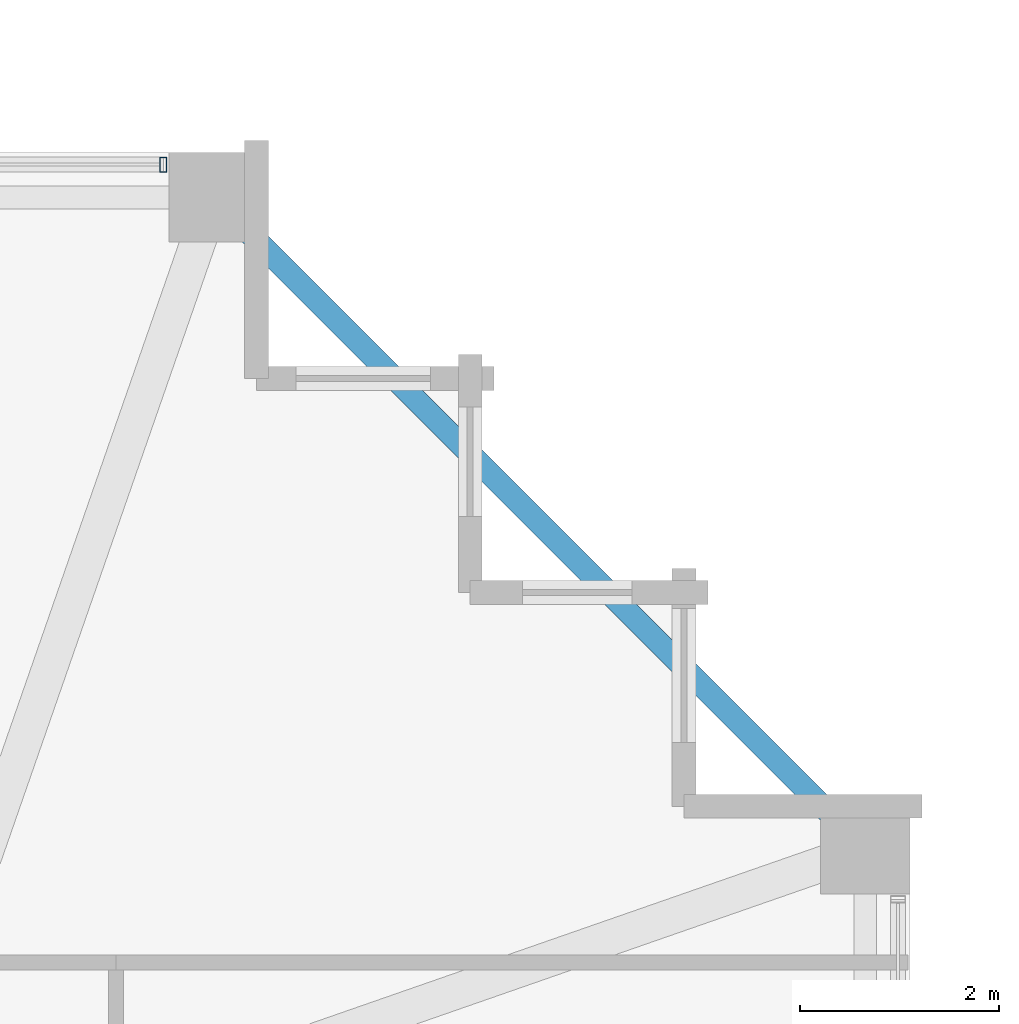
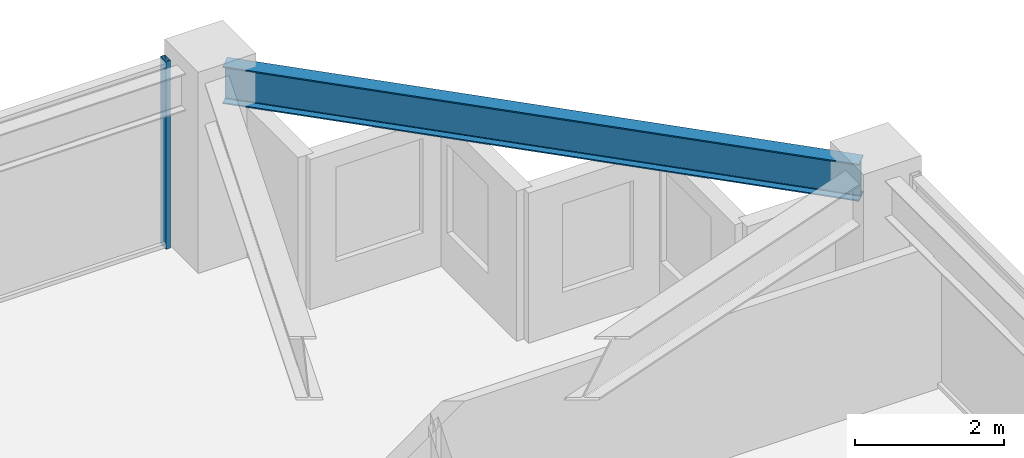
# One storey, part 24 of 37: 1 beam, 1 member, 1 element without a shape of its own.
"""IFC4 building model written with IfcOpenShell, lengths in metres."""

from ifc_helpers import new_model, si_unit, direction, frame, origin, origin_2d, place, context, subcontext, project, spatial, hollow_rectangle, i_section, extrude, material, material_profile, profile_set, type_object, element, aggregate, save


model = new_model("IFC4")

# Units and contexts
model_context = context("Model", 3, precision=1e-05, world=origin(), true_north=direction((0.0, 1.0)))
body_context = subcontext(model_context, "Body", "Model", "MODEL_VIEW")
ifc_project = project(units=[si_unit("LENGTHUNIT", "METRE"), si_unit("AREAUNIT", "SQUARE_METRE"), si_unit("VOLUMEUNIT", "CUBIC_METRE"), si_unit("PLANEANGLEUNIT", "RADIAN"), si_unit("MASSUNIT", "GRAM", prefix="KILO")], contexts=[model_context])

# Site, building, storey
site_placement = place(None, origin())
site = spatial("IfcSite", under=ifc_project, at=site_placement, CompositionType="ELEMENT")
building_placement = place(site_placement, origin())
building = spatial("IfcBuilding", under=site, at=building_placement, Name="Kolvaren Belvedere", CompositionType="ELEMENT")
storey_placement = place(building_placement, frame((0.0, 0.0, 173.39990234375)))
storey = spatial("IfcBuildingStorey", under=building, at=storey_placement, Name="L50", CompositionType="ELEMENT", Elevation=173.39990234375)

# Beam
ifc_material_1 = material(Name="Structural steel ASTM A992 Grade 50", Category="steel")
ifc_material_profile_1 = material_profile(ifc_material_1, i_section(OverallWidth=0.22900390625, OverallDepth=0.612060546875, WebThickness=0.011962890625, FlangeThickness=0.01953125, FilletRadius=0.01806640625, at=origin_2d()), Name="W24X84")
ifc_profile_set_1 = profile_set([ifc_material_profile_1], Name="Structural steel ASTM A992 Grade 50")
beam_type = type_object("IfcBeamType", Name="BM-SPAN-W24X84", PredefinedType="SPANDREL", material=ifc_profile_set_1)
beam_placement = place(storey_placement, frame((19.806884765625, 13.543212890625, 2.774169921875), z_axis=(-0.707106781187, 0.707106781187, 0.0), x_axis=(-0.707106781187, -0.707106781187, 0.0)))
element("IfcBeam", 1, at=beam_placement, inside=storey, type_object=beam_type, Name="L50 Perimeter Spandrel E4-N4", PredefinedType="SPANDREL", context=body_context, shape_type="SweptSolid", body=[
    extrude(i_section(OverallWidth=0.22900390625, OverallDepth=0.612060546875, WebThickness=0.011962890625, FlangeThickness=0.01953125, FilletRadius=0.01806640625, at=origin_2d()), origin(), (0.0, 0.0, 1.0), 8.858154296875),
])

# Curtain wall, member
ifc_material_2 = material(Name="Anodised pale-metal aluminium AA 6063-T6", Category="aluminium")
curtain_wall_type = type_object("IfcCurtainWallType", Name="CW-Z5-HIGH", PredefinedType="NOTDEFINED", material=ifc_material_2)
curtain_wall_placement = place(storey_placement, origin())
curtain_wall = element("IfcCurtainWall", 2, at=curtain_wall_placement, inside=storey, type_object=curtain_wall_type, Name="L50 Unitised Curtain Wall FCW-L50-N2-B2", PredefinedType="NOTDEFINED")
ifc_material_3 = material(Name="Anodised pale-metal aluminium AA 6063-T6", Category="aluminium")
ifc_material_profile_2 = material_profile(ifc_material_3, hollow_rectangle(XDim=0.070068359375, YDim=0.14990234375, WallThickness=0.004150390625, at=origin_2d()), Name="ALU-MUL-150X70")
ifc_profile_set_2 = profile_set([ifc_material_profile_2], Name="Anodised pale-metal aluminium AA 6063-T6")
member_type = type_object("IfcMemberType", Name="CW-MUL-150", PredefinedType="MULLION", material=ifc_profile_set_2)
member_placement = place(storey_placement, frame((12.89501953125, 20.280029296875, 0.0), z_axis=(0.0, 0.0, 1.0), x_axis=(1.0, 0.0, 0.0)))
member = element("IfcMember", 3, at=member_placement, type_object=member_type, Name="FCW-L50-N2-B2 Unitised Mullion 3", PredefinedType="MULLION", context=body_context, shape_type="SweptSolid", body=[
    extrude(hollow_rectangle(XDim=0.070068359375, YDim=0.14990234375, WallThickness=0.004150390625, at=origin_2d()), origin(), (0.0, 0.0, 1.0), 3.080078125),
])
aggregate(curtain_wall, [member])

save(model, "model.ifc")
